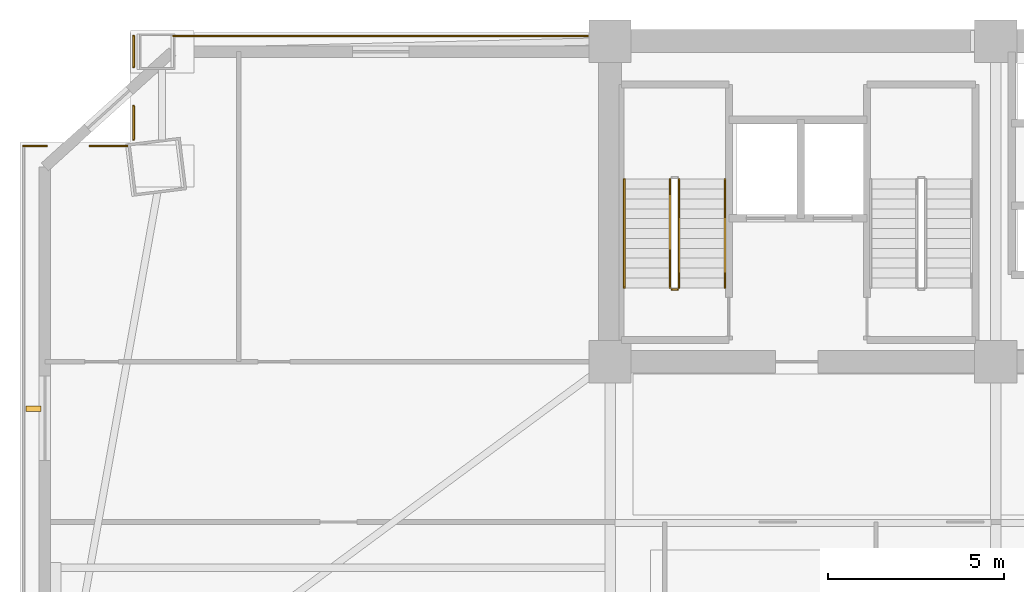
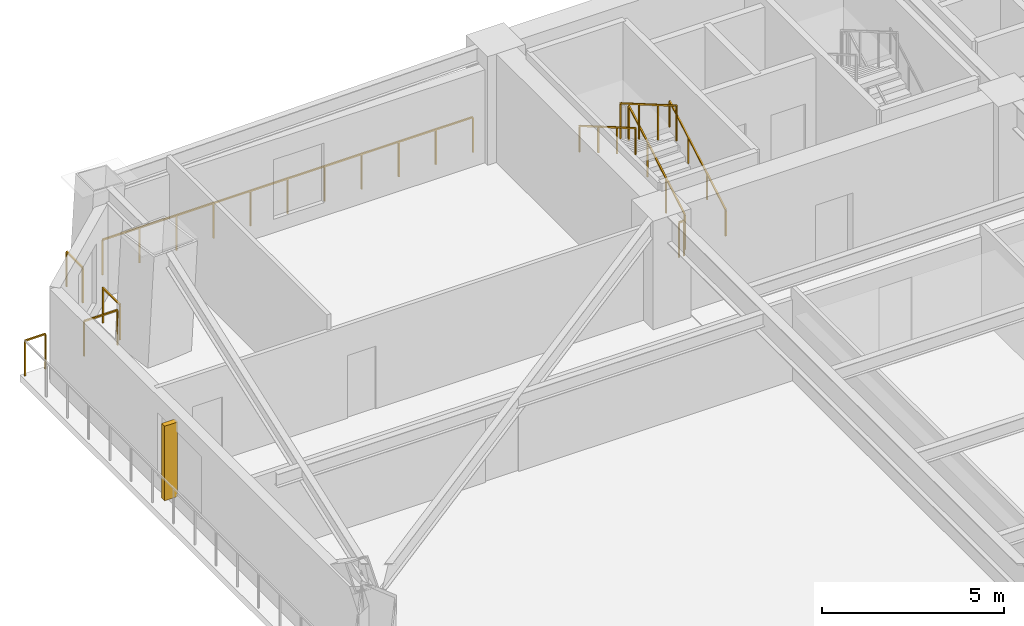
# One storey, part 16 of 18: 10 railings, 1 shading device.
"""IFC4 building model written with IfcOpenShell, lengths in metres."""

from ifc_helpers import new_model, si_unit, direction, frame, origin, origin_2d, place, context, subcontext, project, spatial, rectangle, extrude, source, transform, mapped, material, type_object, element, save


model = new_model("IFC4")

# Units and contexts
model_context = context("Model", 3, precision=1e-05, world=origin(), true_north=direction((0.0, 1.0)))
body_context = subcontext(model_context, "Body", "Model", "MODEL_VIEW")
ifc_project = project(units=[si_unit("LENGTHUNIT", "METRE"), si_unit("AREAUNIT", "SQUARE_METRE"), si_unit("VOLUMEUNIT", "CUBIC_METRE"), si_unit("PLANEANGLEUNIT", "RADIAN"), si_unit("MASSUNIT", "GRAM", prefix="KILO")], contexts=[model_context])

# Site, building, storey
site_placement = place(None, origin())
site = spatial("IfcSite", under=ifc_project, at=site_placement, CompositionType="ELEMENT")
building_placement = place(site_placement, origin())
building = spatial("IfcBuilding", under=site, at=building_placement, Name="Giltprow Tower", CompositionType="ELEMENT")
storey_placement = place(building_placement, frame((0.0, 0.0, 68.89990234375)))
storey = spatial("IfcBuildingStorey", under=building, at=storey_placement, Name="L17", CompositionType="ELEMENT", Elevation=68.89990234375)

# Railings
ifc_material = material(Name="Anodized bronze", Category="metal")
railing_type_1 = type_object("IfcRailingType", Name="RAIL-BALC-GUARD-1200", PredefinedType="BALUSTRADE", material=ifc_material)
railing_1_placement = place(storey_placement, frame((3.205078125, 43.577880859375, 0.0)))
element("IfcRailing", 1, at=railing_1_placement, inside=storey, type_object=railing_type_1, Name="L17 Corner Apron Edge Balustrade 6", PredefinedType="BALUSTRADE", context=body_context, shape_type="SweptSolid", body=[
    extrude(rectangle(XDim=0.048095703125, YDim=0.048095703125, at=origin_2d()), frame((0.0, 0.0, 1.17578125), z_axis=(1.0, 0.0, 0.0), x_axis=(0.0, 1.0, 0.0)), (0.0, 0.0, 1.0), 0.65283203125),
    extrude(rectangle(XDim=0.0419921875, YDim=0.0419921875, at=origin_2d()), origin(), (0.0, 0.0, 1.0), 1.15185546875),
    extrude(rectangle(XDim=0.0419921875, YDim=0.0419921875, at=origin_2d()), frame((0.65283203125, 0.0, 0.0)), (0.0, 0.0, 1.0), 1.15185546875),
])
railing_2_placement = place(storey_placement, frame((5.0810546875, 43.577880859375, 0.0)))
element("IfcRailing", 2, at=railing_2_placement, inside=storey, type_object=railing_type_1, Name="L17 Corner Apron Edge Balustrade 7", PredefinedType="BALUSTRADE", context=body_context, shape_type="SweptSolid", body=[
    extrude(rectangle(XDim=0.048095703125, YDim=0.048095703125, at=origin_2d()), frame((0.0, 0.0, 1.17578125), z_axis=(1.0, 0.0, 0.0), x_axis=(0.0, 1.0, 0.0)), (0.0, 0.0, 1.0), 1.06103515625),
    extrude(rectangle(XDim=0.0419921875, YDim=0.0419921875, at=origin_2d()), origin(), (0.0, 0.0, 1.0), 1.15185546875),
    extrude(rectangle(XDim=0.0419921875, YDim=0.0419921875, at=origin_2d()), frame((1.06103515625, 0.0, 0.0)), (0.0, 0.0, 1.0), 1.15185546875),
])
railing_3_placement = place(storey_placement, frame((6.326904296875, 43.762939453125, 0.0)))
element("IfcRailing", 3, at=railing_3_placement, inside=storey, type_object=railing_type_1, Name="L17 Corner Apron Edge Balustrade 8", PredefinedType="BALUSTRADE", context=body_context, shape_type="SweptSolid", body=[
    extrude(rectangle(XDim=0.048095703125, YDim=0.048095703125, at=origin_2d()), frame((0.0, 0.0, 1.17578125), z_axis=(0.0, 1.0, 0.0), x_axis=(-1.0, 0.0, 0.0)), (0.0, 0.0, 1.0), 0.941162109375),
    extrude(rectangle(XDim=0.0419921875, YDim=0.0419921875, at=origin_2d()), origin(), (0.0, 0.0, 1.0), 1.15185546875),
    extrude(rectangle(XDim=0.0419921875, YDim=0.0419921875, at=origin_2d()), frame((0.0, 0.941162109375, 0.0)), (0.0, 0.0, 1.0), 1.15185546875),
])
railing_4_placement = place(storey_placement, frame((6.326904296875, 45.80908203125, 0.0)))
element("IfcRailing", 4, at=railing_4_placement, inside=storey, type_object=railing_type_1, Name="L17 Corner Apron Edge Balustrade 9", PredefinedType="BALUSTRADE", context=body_context, shape_type="SweptSolid", body=[
    extrude(rectangle(XDim=0.048095703125, YDim=0.048095703125, at=origin_2d()), frame((0.0, 0.0, 1.17578125), z_axis=(0.0, 1.0, 0.0), x_axis=(-1.0, 0.0, 0.0)), (0.0, 0.0, 1.0), 0.890869140625),
    extrude(rectangle(XDim=0.0419921875, YDim=0.0419921875, at=origin_2d()), origin(), (0.0, 0.0, 1.0), 1.15185546875),
    extrude(rectangle(XDim=0.0419921875, YDim=0.0419921875, at=origin_2d()), frame((0.0, 0.890869140625, 0.0)), (0.0, 0.0, 1.0), 1.15185546875),
])
railing_5_placement = place(storey_placement, frame((7.4619140625, 46.699951171875, 0.0)))
element("IfcRailing", 5, at=railing_5_placement, inside=storey, type_object=railing_type_1, Name="L17 Corner Apron Edge Balustrade 10", PredefinedType="BALUSTRADE", context=body_context, shape_type="SweptSolid", body=[
    extrude(rectangle(XDim=0.048095703125, YDim=0.048095703125, at=origin_2d()), frame((0.0, 0.0, 1.17578125), z_axis=(1.0, 0.0, 0.0), x_axis=(0.0, 1.0, 0.0)), (0.0, 0.0, 1.0), 11.753173828125),
    extrude(rectangle(XDim=0.0419921875, YDim=0.0419921875, at=origin_2d()), origin(), (0.0, 0.0, 1.0), 1.15185546875),
    extrude(rectangle(XDim=0.0419921875, YDim=0.0419921875, at=origin_2d()), frame((1.17529296875, 0.0, 0.0)), (0.0, 0.0, 1.0), 1.15185546875),
    extrude(rectangle(XDim=0.0419921875, YDim=0.0419921875, at=origin_2d()), frame((2.3505859375, 0.0, 0.0)), (0.0, 0.0, 1.0), 1.15185546875),
    extrude(rectangle(XDim=0.0419921875, YDim=0.0419921875, at=origin_2d()), frame((3.52587890625, 0.0, 0.0)), (0.0, 0.0, 1.0), 1.15185546875),
    extrude(rectangle(XDim=0.0419921875, YDim=0.0419921875, at=origin_2d()), frame((4.701171875, 0.0, 0.0)), (0.0, 0.0, 1.0), 1.15185546875),
    extrude(rectangle(XDim=0.0419921875, YDim=0.0419921875, at=origin_2d()), frame((5.87646484375, 0.0, 0.0)), (0.0, 0.0, 1.0), 1.15185546875),
    extrude(rectangle(XDim=0.0419921875, YDim=0.0419921875, at=origin_2d()), frame((7.052001953125, 0.0, 0.0)), (0.0, 0.0, 1.0), 1.15185546875),
    extrude(rectangle(XDim=0.0419921875, YDim=0.0419921875, at=origin_2d()), frame((8.227294921875, 0.0, 0.0)), (0.0, 0.0, 1.0), 1.15185546875),
    extrude(rectangle(XDim=0.0419921875, YDim=0.0419921875, at=origin_2d()), frame((9.402587890625, 0.0, 0.0)), (0.0, 0.0, 1.0), 1.15185546875),
    extrude(rectangle(XDim=0.0419921875, YDim=0.0419921875, at=origin_2d()), frame((10.577880859375, 0.0, 0.0)), (0.0, 0.0, 1.0), 1.15185546875),
    extrude(rectangle(XDim=0.0419921875, YDim=0.0419921875, at=origin_2d()), frame((11.753173828125, 0.0, 0.0)), (0.0, 0.0, 1.0), 1.15185546875),
])
railing_type_2 = type_object("IfcRailingType", Name="RAIL-STAIR-GUARD-1200", PredefinedType="GUARDRAIL", material=ifc_material)
railing_6_placement = place(storey_placement, frame((21.81005859375, 39.550048828125, 0.16259765625)))
element("IfcRailing", 6, at=railing_6_placement, inside=storey, type_object=railing_type_2, Name="L17 ST-1 stair guard 1", PredefinedType="GUARDRAIL", context=body_context, shape_type="SweptSolid", body=[
    extrude(rectangle(XDim=0.048095703125, YDim=0.048095703125, at=origin_2d()), frame((0.0, 0.0, 1.17578125), z_axis=(0.0, 0.864873446163, 0.501989962173), x_axis=(-1.0, 0.0, 0.0)), (0.0, 0.0, 1.0), 3.56103515625),
    extrude(rectangle(XDim=0.0419921875, YDim=0.0419921875, at=origin_2d()), origin(), (0.0, 0.0, 1.0), 1.15185546875),
    extrude(rectangle(XDim=0.0419921875, YDim=0.0419921875, at=origin_2d()), frame((0.0, 1.026611328125, 0.595947265625)), (0.0, 0.0, 1.0), 1.15185546875),
    extrude(rectangle(XDim=0.0419921875, YDim=0.0419921875, at=origin_2d()), frame((0.0, 2.05322265625, 1.191650390625)), (0.0, 0.0, 1.0), 1.15185546875),
    extrude(rectangle(XDim=0.0419921875, YDim=0.0419921875, at=origin_2d()), frame((0.0, 3.079833984375, 1.78759765625)), (0.0, 0.0, 1.0), 1.15185546875),
])
railing_7_placement = place(storey_placement, frame((21.550048828125, 42.6298828125, 2.112548828125)))
element("IfcRailing", 7, at=railing_7_placement, inside=storey, type_object=railing_type_2, Name="L17 ST-1 stair guard 3", PredefinedType="GUARDRAIL", context=body_context, shape_type="SweptSolid", body=[
    extrude(rectangle(XDim=0.048095703125, YDim=0.048095703125, at=origin_2d()), frame((0.0, 0.0, 1.17578125), z_axis=(0.0, -0.864873446163, 0.501989962173), x_axis=(1.0, 0.0, 0.0)), (0.0, 0.0, 1.0), 3.56103515625),
    extrude(rectangle(XDim=0.0419921875, YDim=0.0419921875, at=origin_2d()), origin(), (0.0, 0.0, 1.0), 1.15185546875),
    extrude(rectangle(XDim=0.0419921875, YDim=0.0419921875, at=origin_2d()), frame((0.0, -1.026611328125, 0.595947265625)), (0.0, 0.0, 1.0), 1.15185546875),
    extrude(rectangle(XDim=0.0419921875, YDim=0.0419921875, at=origin_2d()), frame((0.0, -2.05322265625, 1.191650390625)), (0.0, 0.0, 1.0), 1.15185546875),
    extrude(rectangle(XDim=0.0419921875, YDim=0.0419921875, at=origin_2d()), frame((0.0, -3.079833984375, 1.78759765625)), (0.0, 0.0, 1.0), 1.15185546875),
])
railing_8_placement = place(storey_placement, frame((21.760009765625, 39.5, 0.0)))
element("IfcRailing", 8, at=railing_8_placement, inside=storey, type_object=railing_type_2, Name="L17 ST-1 stair guard 4", PredefinedType="GUARDRAIL", context=body_context, shape_type="SweptSolid", body=[
    extrude(rectangle(XDim=0.048095703125, YDim=0.048095703125, at=origin_2d()), frame((0.0, 0.0, 1.17578125), z_axis=(-1.0, 0.0, 0.0), x_axis=(0.0, -1.0, 0.0)), (0.0, 0.0, 1.0), 0.159912109375),
    extrude(rectangle(XDim=0.0419921875, YDim=0.0419921875, at=origin_2d()), origin(), (0.0, 0.0, 1.0), 1.15185546875),
    extrude(rectangle(XDim=0.0419921875, YDim=0.0419921875, at=origin_2d()), frame((-0.159912109375, 0.0, 0.0)), (0.0, 0.0, 1.0), 1.15185546875),
])
railing_type_3 = type_object("IfcRailingType", Name="RAIL-STAIR-HAND-900", PredefinedType="HANDRAIL", material=ifc_material)
railing_9_placement = place(storey_placement, frame((23.110107421875, 39.550048828125, 0.16259765625)))
element("IfcRailing", 9, at=railing_9_placement, inside=storey, type_object=railing_type_3, Name="L17 ST-1 stair handrail 1", PredefinedType="HANDRAIL", context=body_context, shape_type="SweptSolid", body=[
    extrude(rectangle(XDim=0.048095703125, YDim=0.048095703125, at=origin_2d()), frame((0.0, 0.0, 0.8759765625), z_axis=(0.0, 0.864873446163, 0.501989962173), x_axis=(-1.0, 0.0, 0.0)), (0.0, 0.0, 1.0), 3.56103515625),
    extrude(rectangle(XDim=0.0419921875, YDim=0.0419921875, at=origin_2d()), origin(), (0.0, 0.0, 1.0), 0.851806640625),
    extrude(rectangle(XDim=0.0419921875, YDim=0.0419921875, at=origin_2d()), frame((0.0, 1.026611328125, 0.595947265625)), (0.0, 0.0, 1.0), 0.851806640625),
    extrude(rectangle(XDim=0.0419921875, YDim=0.0419921875, at=origin_2d()), frame((0.0, 2.05322265625, 1.191650390625)), (0.0, 0.0, 1.0), 0.851806640625),
    extrude(rectangle(XDim=0.0419921875, YDim=0.0419921875, at=origin_2d()), frame((0.0, 3.079833984375, 1.78759765625)), (0.0, 0.0, 1.0), 0.851806640625),
])
railing_10_placement = place(storey_placement, frame((20.25, 42.6298828125, 2.112548828125)))
element("IfcRailing", 10, at=railing_10_placement, inside=storey, type_object=railing_type_3, Name="L17 ST-1 stair handrail 2", PredefinedType="HANDRAIL", context=body_context, shape_type="SweptSolid", body=[
    extrude(rectangle(XDim=0.048095703125, YDim=0.048095703125, at=origin_2d()), frame((0.0, 0.0, 0.8759765625), z_axis=(0.0, -0.864873446163, 0.501989962173), x_axis=(1.0, 0.0, 0.0)), (0.0, 0.0, 1.0), 3.56103515625),
    extrude(rectangle(XDim=0.0419921875, YDim=0.0419921875, at=origin_2d()), origin(), (0.0, 0.0, 1.0), 0.851806640625),
    extrude(rectangle(XDim=0.0419921875, YDim=0.0419921875, at=origin_2d()), frame((0.0, -1.026611328125, 0.595947265625)), (0.0, 0.0, 1.0), 0.851806640625),
    extrude(rectangle(XDim=0.0419921875, YDim=0.0419921875, at=origin_2d()), frame((0.0, -2.05322265625, 1.191650390625)), (0.0, 0.0, 1.0), 0.851806640625),
    extrude(rectangle(XDim=0.0419921875, YDim=0.0419921875, at=origin_2d()), frame((0.0, -3.079833984375, 1.78759765625)), (0.0, 0.0, 1.0), 0.851806640625),
])

# Shading device
shading_device_type = type_object("IfcShadingDeviceType", Name="SHD-FIN-420", PredefinedType="USERDEFINED", material=ifc_material)
shared_shape = source(origin(), body_context, "Body", "SweptSolid", [
    extrude(rectangle(XDim=0.419921875, YDim=0.159912109375, at=origin_2d()), origin(), (0.0, 0.0, 1.0), 2.5),
])
shading_device_placement = place(storey_placement, frame((3.485107421875, 36.116943359375, 0.35009765625), z_axis=(0.0, 0.0, 1.0), x_axis=(1.0, 0.0, 0.0)))
element("IfcShadingDevice", 11, at=shading_device_placement, inside=storey, type_object=shading_device_type, Name="L17 W Bronze Vertical Fin 2-1", ObjectType="FIN", PredefinedType="USERDEFINED", context=body_context, shape_type="MappedRepresentation", body=[
    mapped(shared_shape, transform((0.0, 0.0, 0.0), x_axis=(1.0, 0.0, 0.0), y_axis=(0.0, 1.0, 0.0), z_axis=(0.0, 0.0, 1.0), scale=1.0)),
])

save(model, "model.ifc")
